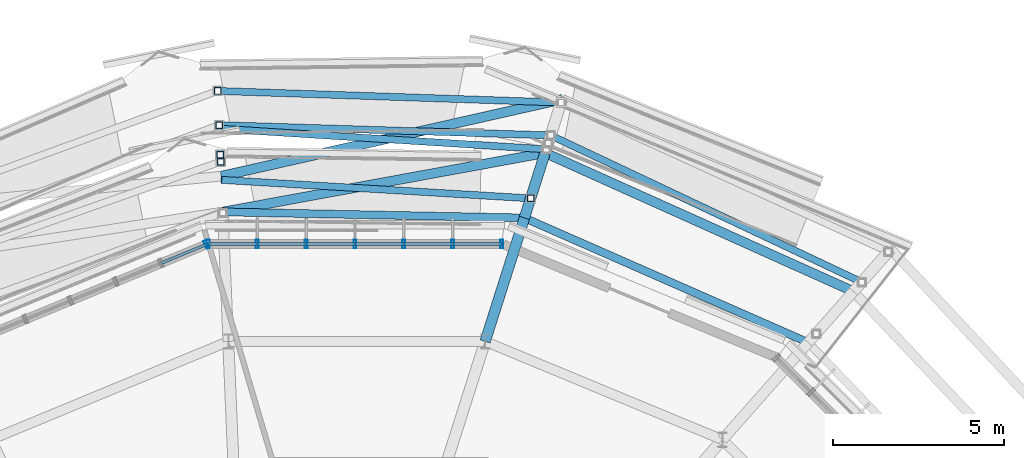
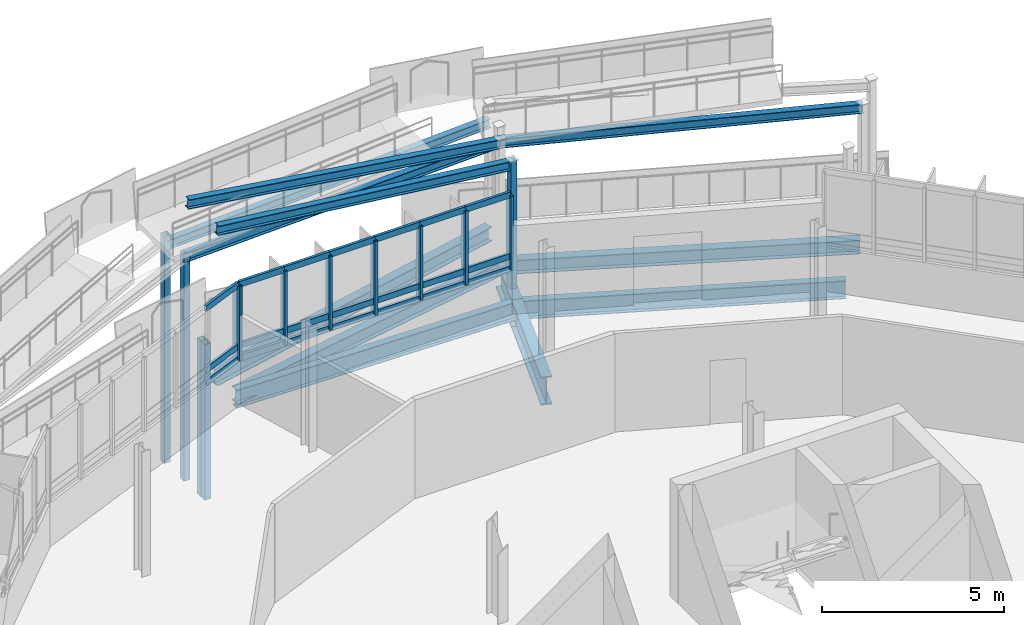
# One storey, part 48 of 107: 34 members, 12 beams, 2 elements without a shape of their own.
"""IFC4 building model written with IfcOpenShell, lengths in metres."""

from ifc_helpers import new_model, si_unit, derived_unit, direction, frame, origin, origin_2d, place, context, subcontext, project, spatial, hollow_rectangle, i_section, extrude, material, layer, layer_set, material_profile, profile_set, type_object, element, aggregate, save


model = new_model("IFC4")

# Units and contexts
model_context = context("Model", 3, precision=1e-05, world=origin(), true_north=direction((0.0, 1.0)))
body_context = subcontext(model_context, "Body", "Model", "MODEL_VIEW")
ifc_project = project(units=[si_unit("LENGTHUNIT", "METRE"), si_unit("AREAUNIT", "SQUARE_METRE"), si_unit("VOLUMEUNIT", "CUBIC_METRE"), si_unit("PLANEANGLEUNIT", "RADIAN"), si_unit("MASSUNIT", "GRAM", prefix="KILO"), derived_unit("THERMALTRANSMITTANCEUNIT", [(si_unit("MASSUNIT", "GRAM", prefix="KILO"), 1), (si_unit("TIMEUNIT", "SECOND"), -3), (si_unit("THERMODYNAMICTEMPERATUREUNIT", "KELVIN"), -1)])], contexts=[model_context])

# Site, building, storey
site_placement = place(None, origin())
site = spatial("IfcSite", under=ifc_project, at=site_placement, CompositionType="ELEMENT")
building_placement = place(site_placement, origin())
building = spatial("IfcBuilding", under=site, at=building_placement, Name="Makaiwela Harbour Ferry Terminal", CompositionType="ELEMENT")
storey_placement = place(building_placement, frame((0.0, 0.0, 9.60009765625)))
storey = spatial("IfcBuildingStorey", under=building, at=storey_placement, Name="L02", CompositionType="ELEMENT", Elevation=9.60009765625)

# Curtain wall, members
ifc_material_1 = material(Name="Marine anodised aluminium 6063-T6", Category="aluminium")
ifc_layer = layer(ifc_material_1, 0.199951171875)
ifc_layer_set = layer_set([ifc_layer], Name="Marine anodised aluminium 6063-T6")
curtain_wall_type = type_object("IfcCurtainWallType", Name="ENV-CW-04", PredefinedType="USERDEFINED", material=ifc_layer_set)
curtain_wall_1_placement = place(storey_placement, origin())
curtain_wall_1 = element("IfcCurtainWall", 1, at=curtain_wall_1_placement, inside=storey, type_object=curtain_wall_type, Name="Unitised Curtain Wall CWA-021", ObjectType="UNITIZED CURTAIN WALL", PredefinedType="USERDEFINED")
ifc_material_profile_1 = material_profile(ifc_material_1, hollow_rectangle(XDim=0.0849609375, YDim=0.25, WallThickness=0.0048828125, at=origin_2d()), Name="CWM-250X85")
ifc_profile_set_1 = profile_set([ifc_material_profile_1], Name="Marine anodised aluminium 6063-T6")
member_type_1 = type_object("IfcMemberType", Name="CW-MUL-250", PredefinedType="MULLION", material=ifc_profile_set_1)
member_1_placement = place(storey_placement, frame((41.35107421875, 89.88330078125, 1.47998046875), z_axis=(0.0, 0.0, 1.0), x_axis=(1.0, 0.0, 0.0)))
member_1 = element("IfcMember", 2, at=member_1_placement, type_object=member_type_1, Name="Curtain Wall Mullion CWA-021-1", PredefinedType="MULLION", context=body_context, shape_type="SweptSolid", body=[
    extrude(hollow_rectangle(XDim=0.0849609375, YDim=0.25, WallThickness=0.0048828125, at=origin_2d()), origin(), (0.0, 0.0, 1.0), 2.47998046875),
])
member_2_placement = place(storey_placement, frame((39.917236328125, 89.88330078125, 1.47998046875), z_axis=(0.0, 0.0, 1.0), x_axis=(1.0, 0.0, 0.0)))
member_2 = element("IfcMember", 3, at=member_2_placement, type_object=member_type_1, Name="Curtain Wall Mullion CWA-021-2", PredefinedType="MULLION", context=body_context, shape_type="SweptSolid", body=[
    extrude(hollow_rectangle(XDim=0.0849609375, YDim=0.25, WallThickness=0.0048828125, at=origin_2d()), origin(), (0.0, 0.0, 1.0), 2.47998046875),
])
member_3_placement = place(storey_placement, frame((38.483642578125, 89.88330078125, 1.47998046875), z_axis=(0.0, 0.0, 1.0), x_axis=(1.0, 0.0, 0.0)))
member_3 = element("IfcMember", 4, at=member_3_placement, type_object=member_type_1, Name="Curtain Wall Mullion CWA-021-3", PredefinedType="MULLION", context=body_context, shape_type="SweptSolid", body=[
    extrude(hollow_rectangle(XDim=0.0849609375, YDim=0.25, WallThickness=0.0048828125, at=origin_2d()), origin(), (0.0, 0.0, 1.0), 2.47998046875),
])
member_4_placement = place(storey_placement, frame((37.050048828125, 89.88330078125, 1.47998046875), z_axis=(0.0, 0.0, 1.0), x_axis=(1.0, 0.0, 0.0)))
member_4 = element("IfcMember", 5, at=member_4_placement, type_object=member_type_1, Name="Curtain Wall Mullion CWA-021-4", PredefinedType="MULLION", context=body_context, shape_type="SweptSolid", body=[
    extrude(hollow_rectangle(XDim=0.0849609375, YDim=0.25, WallThickness=0.0048828125, at=origin_2d()), origin(), (0.0, 0.0, 1.0), 2.47998046875),
])
member_5_placement = place(storey_placement, frame((35.6162109375, 89.88330078125, 1.47998046875), z_axis=(0.0, 0.0, 1.0), x_axis=(1.0, 0.0, 0.0)))
member_5 = element("IfcMember", 6, at=member_5_placement, type_object=member_type_1, Name="Curtain Wall Mullion CWA-021-5", PredefinedType="MULLION", context=body_context, shape_type="SweptSolid", body=[
    extrude(hollow_rectangle(XDim=0.0849609375, YDim=0.25, WallThickness=0.0048828125, at=origin_2d()), origin(), (0.0, 0.0, 1.0), 2.47998046875),
])
member_6_placement = place(storey_placement, frame((34.1826171875, 89.88330078125, 1.47998046875), z_axis=(0.0, 0.0, 1.0), x_axis=(1.0, 0.0, 0.0)))
member_6 = element("IfcMember", 7, at=member_6_placement, type_object=member_type_1, Name="Curtain Wall Mullion CWA-021-6", PredefinedType="MULLION", context=body_context, shape_type="SweptSolid", body=[
    extrude(hollow_rectangle(XDim=0.0849609375, YDim=0.25, WallThickness=0.0048828125, at=origin_2d()), origin(), (0.0, 0.0, 1.0), 2.47998046875),
])
member_7_placement = place(storey_placement, frame((32.7490234375, 89.88330078125, 1.47998046875), z_axis=(0.0, 0.0, 1.0), x_axis=(1.0, 0.0, 0.0)))
member_7 = element("IfcMember", 8, at=member_7_placement, type_object=member_type_1, Name="Curtain Wall Mullion CWA-021-7", PredefinedType="MULLION", context=body_context, shape_type="SweptSolid", body=[
    extrude(hollow_rectangle(XDim=0.0849609375, YDim=0.25, WallThickness=0.0048828125, at=origin_2d()), origin(), (0.0, 0.0, 1.0), 2.47998046875),
])

# Curtain wall, member
curtain_wall_2_placement = place(storey_placement, origin())
curtain_wall_2 = element("IfcCurtainWall", 9, at=curtain_wall_2_placement, inside=storey, type_object=curtain_wall_type, Name="Unitised Curtain Wall CWA-022", ObjectType="UNITIZED CURTAIN WALL", PredefinedType="USERDEFINED")
member_8_placement = place(storey_placement, frame((32.69140625, 89.871826171875, 1.47998046875), z_axis=(0.0, 0.0, 1.0), x_axis=(0.923879532511, 0.382683432365, 0.0)))
member_8 = element("IfcMember", 10, at=member_8_placement, type_object=member_type_1, Name="Curtain Wall Mullion CWA-022-1", PredefinedType="MULLION", context=body_context, shape_type="SweptSolid", body=[
    extrude(hollow_rectangle(XDim=0.0849609375, YDim=0.25, WallThickness=0.0048828125, at=origin_2d()), origin(), (0.0, 0.0, 1.0), 2.47998046875),
])

# Member
ifc_material_profile_2 = material_profile(ifc_material_1, hollow_rectangle(XDim=0.0849609375, YDim=0.199951171875, WallThickness=0.0048828125, at=origin_2d()), Name="CWT-200X85")
ifc_profile_set_2 = profile_set([ifc_material_profile_2], Name="Marine anodised aluminium 6063-T6")
member_type_2 = type_object("IfcMemberType", Name="CW-TRN-200", PredefinedType="USERDEFINED", material=ifc_profile_set_2)
member_9_placement = place(storey_placement, frame((41.35107421875, 89.88330078125, 1.47998046875), z_axis=(-1.0, 0.0, 0.0), x_axis=(0.0, -1.0, 0.0)))
member_9 = element("IfcMember", 11, at=member_9_placement, type_object=member_type_2, Name="Curtain Wall Transom CWA-021-1-1", ObjectType="TRANSOM", PredefinedType="USERDEFINED", context=body_context, shape_type="SweptSolid", body=[
    extrude(hollow_rectangle(XDim=0.0849609375, YDim=0.199951171875, WallThickness=0.0048828125, at=origin_2d()), origin(), (0.0, 0.0, 1.0), 1.433837890625),
])

member_10_placement = place(storey_placement, frame((41.35107421875, 89.88330078125, 1.89990234375), z_axis=(-1.0, 0.0, 0.0), x_axis=(0.0, -1.0, 0.0)))
member_10 = element("IfcMember", 12, at=member_10_placement, type_object=member_type_2, Name="Curtain Wall Transom CWA-021-1-2", ObjectType="TRANSOM", PredefinedType="USERDEFINED", context=body_context, shape_type="SweptSolid", body=[
    extrude(hollow_rectangle(XDim=0.0849609375, YDim=0.199951171875, WallThickness=0.0048828125, at=origin_2d()), origin(), (0.0, 0.0, 1.0), 1.433837890625),
])

member_11_placement = place(storey_placement, frame((41.35107421875, 89.88330078125, 3.9599609375), z_axis=(-1.0, 0.0, 0.0), x_axis=(0.0, -1.0, 0.0)))
member_11 = element("IfcMember", 13, at=member_11_placement, type_object=member_type_2, Name="Curtain Wall Transom CWA-021-1-3", ObjectType="TRANSOM", PredefinedType="USERDEFINED", context=body_context, shape_type="SweptSolid", body=[
    extrude(hollow_rectangle(XDim=0.0849609375, YDim=0.199951171875, WallThickness=0.0048828125, at=origin_2d()), origin(), (0.0, 0.0, 1.0), 1.433837890625),
])

member_12_placement = place(storey_placement, frame((39.917236328125, 89.88330078125, 1.47998046875), z_axis=(-1.0, 0.0, 0.0), x_axis=(0.0, -1.0, 0.0)))
member_12 = element("IfcMember", 14, at=member_12_placement, type_object=member_type_2, Name="Curtain Wall Transom CWA-021-2-1", ObjectType="TRANSOM", PredefinedType="USERDEFINED", context=body_context, shape_type="SweptSolid", body=[
    extrude(hollow_rectangle(XDim=0.0849609375, YDim=0.199951171875, WallThickness=0.0048828125, at=origin_2d()), origin(), (0.0, 0.0, 1.0), 1.43359375),
])

member_13_placement = place(storey_placement, frame((39.917236328125, 89.88330078125, 1.89990234375), z_axis=(-1.0, 0.0, 0.0), x_axis=(0.0, -1.0, 0.0)))
member_13 = element("IfcMember", 15, at=member_13_placement, type_object=member_type_2, Name="Curtain Wall Transom CWA-021-2-2", ObjectType="TRANSOM", PredefinedType="USERDEFINED", context=body_context, shape_type="SweptSolid", body=[
    extrude(hollow_rectangle(XDim=0.0849609375, YDim=0.199951171875, WallThickness=0.0048828125, at=origin_2d()), origin(), (0.0, 0.0, 1.0), 1.43359375),
])

member_14_placement = place(storey_placement, frame((39.917236328125, 89.88330078125, 3.9599609375), z_axis=(-1.0, 0.0, 0.0), x_axis=(0.0, -1.0, 0.0)))
member_14 = element("IfcMember", 16, at=member_14_placement, type_object=member_type_2, Name="Curtain Wall Transom CWA-021-2-3", ObjectType="TRANSOM", PredefinedType="USERDEFINED", context=body_context, shape_type="SweptSolid", body=[
    extrude(hollow_rectangle(XDim=0.0849609375, YDim=0.199951171875, WallThickness=0.0048828125, at=origin_2d()), origin(), (0.0, 0.0, 1.0), 1.43359375),
])

member_15_placement = place(storey_placement, frame((38.483642578125, 89.88330078125, 1.47998046875), z_axis=(-1.0, 0.0, 0.0), x_axis=(0.0, -1.0, 0.0)))
member_15 = element("IfcMember", 17, at=member_15_placement, type_object=member_type_2, Name="Curtain Wall Transom CWA-021-3-1", ObjectType="TRANSOM", PredefinedType="USERDEFINED", context=body_context, shape_type="SweptSolid", body=[
    extrude(hollow_rectangle(XDim=0.0849609375, YDim=0.199951171875, WallThickness=0.0048828125, at=origin_2d()), origin(), (0.0, 0.0, 1.0), 1.43359375),
])

member_16_placement = place(storey_placement, frame((38.483642578125, 89.88330078125, 1.89990234375), z_axis=(-1.0, 0.0, 0.0), x_axis=(0.0, -1.0, 0.0)))
member_16 = element("IfcMember", 18, at=member_16_placement, type_object=member_type_2, Name="Curtain Wall Transom CWA-021-3-2", ObjectType="TRANSOM", PredefinedType="USERDEFINED", context=body_context, shape_type="SweptSolid", body=[
    extrude(hollow_rectangle(XDim=0.0849609375, YDim=0.199951171875, WallThickness=0.0048828125, at=origin_2d()), origin(), (0.0, 0.0, 1.0), 1.43359375),
])

member_17_placement = place(storey_placement, frame((38.483642578125, 89.88330078125, 3.9599609375), z_axis=(-1.0, 0.0, 0.0), x_axis=(0.0, -1.0, 0.0)))
member_17 = element("IfcMember", 19, at=member_17_placement, type_object=member_type_2, Name="Curtain Wall Transom CWA-021-3-3", ObjectType="TRANSOM", PredefinedType="USERDEFINED", context=body_context, shape_type="SweptSolid", body=[
    extrude(hollow_rectangle(XDim=0.0849609375, YDim=0.199951171875, WallThickness=0.0048828125, at=origin_2d()), origin(), (0.0, 0.0, 1.0), 1.43359375),
])

member_18_placement = place(storey_placement, frame((37.050048828125, 89.88330078125, 1.47998046875), z_axis=(-1.0, 0.0, 0.0), x_axis=(0.0, -1.0, 0.0)))
member_18 = element("IfcMember", 20, at=member_18_placement, type_object=member_type_2, Name="Curtain Wall Transom CWA-021-4-1", ObjectType="TRANSOM", PredefinedType="USERDEFINED", context=body_context, shape_type="SweptSolid", body=[
    extrude(hollow_rectangle(XDim=0.0849609375, YDim=0.199951171875, WallThickness=0.0048828125, at=origin_2d()), origin(), (0.0, 0.0, 1.0), 1.433837890625),
])

member_19_placement = place(storey_placement, frame((37.050048828125, 89.88330078125, 1.89990234375), z_axis=(-1.0, 0.0, 0.0), x_axis=(0.0, -1.0, 0.0)))
member_19 = element("IfcMember", 21, at=member_19_placement, type_object=member_type_2, Name="Curtain Wall Transom CWA-021-4-2", ObjectType="TRANSOM", PredefinedType="USERDEFINED", context=body_context, shape_type="SweptSolid", body=[
    extrude(hollow_rectangle(XDim=0.0849609375, YDim=0.199951171875, WallThickness=0.0048828125, at=origin_2d()), origin(), (0.0, 0.0, 1.0), 1.433837890625),
])

member_20_placement = place(storey_placement, frame((37.050048828125, 89.88330078125, 3.9599609375), z_axis=(-1.0, 0.0, 0.0), x_axis=(0.0, -1.0, 0.0)))
member_20 = element("IfcMember", 22, at=member_20_placement, type_object=member_type_2, Name="Curtain Wall Transom CWA-021-4-3", ObjectType="TRANSOM", PredefinedType="USERDEFINED", context=body_context, shape_type="SweptSolid", body=[
    extrude(hollow_rectangle(XDim=0.0849609375, YDim=0.199951171875, WallThickness=0.0048828125, at=origin_2d()), origin(), (0.0, 0.0, 1.0), 1.433837890625),
])

member_21_placement = place(storey_placement, frame((35.6162109375, 89.88330078125, 1.47998046875), z_axis=(-1.0, 0.0, 0.0), x_axis=(0.0, -1.0, 0.0)))
member_21 = element("IfcMember", 23, at=member_21_placement, type_object=member_type_2, Name="Curtain Wall Transom CWA-021-5-1", ObjectType="TRANSOM", PredefinedType="USERDEFINED", context=body_context, shape_type="SweptSolid", body=[
    extrude(hollow_rectangle(XDim=0.0849609375, YDim=0.199951171875, WallThickness=0.0048828125, at=origin_2d()), origin(), (0.0, 0.0, 1.0), 1.43359375),
])

member_22_placement = place(storey_placement, frame((35.6162109375, 89.88330078125, 1.89990234375), z_axis=(-1.0, 0.0, 0.0), x_axis=(0.0, -1.0, 0.0)))
member_22 = element("IfcMember", 24, at=member_22_placement, type_object=member_type_2, Name="Curtain Wall Transom CWA-021-5-2", ObjectType="TRANSOM", PredefinedType="USERDEFINED", context=body_context, shape_type="SweptSolid", body=[
    extrude(hollow_rectangle(XDim=0.0849609375, YDim=0.199951171875, WallThickness=0.0048828125, at=origin_2d()), origin(), (0.0, 0.0, 1.0), 1.43359375),
])

member_23_placement = place(storey_placement, frame((35.6162109375, 89.88330078125, 3.9599609375), z_axis=(-1.0, 0.0, 0.0), x_axis=(0.0, -1.0, 0.0)))
member_23 = element("IfcMember", 25, at=member_23_placement, type_object=member_type_2, Name="Curtain Wall Transom CWA-021-5-3", ObjectType="TRANSOM", PredefinedType="USERDEFINED", context=body_context, shape_type="SweptSolid", body=[
    extrude(hollow_rectangle(XDim=0.0849609375, YDim=0.199951171875, WallThickness=0.0048828125, at=origin_2d()), origin(), (0.0, 0.0, 1.0), 1.43359375),
])

member_24_placement = place(storey_placement, frame((34.1826171875, 89.88330078125, 1.47998046875), z_axis=(-1.0, 0.0, 0.0), x_axis=(0.0, -1.0, 0.0)))
member_24 = element("IfcMember", 26, at=member_24_placement, type_object=member_type_2, Name="Curtain Wall Transom CWA-021-6-1", ObjectType="TRANSOM", PredefinedType="USERDEFINED", context=body_context, shape_type="SweptSolid", body=[
    extrude(hollow_rectangle(XDim=0.0849609375, YDim=0.199951171875, WallThickness=0.0048828125, at=origin_2d()), origin(), (0.0, 0.0, 1.0), 1.43359375),
])

member_25_placement = place(storey_placement, frame((34.1826171875, 89.88330078125, 1.89990234375), z_axis=(-1.0, 0.0, 0.0), x_axis=(0.0, -1.0, 0.0)))
member_25 = element("IfcMember", 27, at=member_25_placement, type_object=member_type_2, Name="Curtain Wall Transom CWA-021-6-2", ObjectType="TRANSOM", PredefinedType="USERDEFINED", context=body_context, shape_type="SweptSolid", body=[
    extrude(hollow_rectangle(XDim=0.0849609375, YDim=0.199951171875, WallThickness=0.0048828125, at=origin_2d()), origin(), (0.0, 0.0, 1.0), 1.43359375),
])

member_26_placement = place(storey_placement, frame((34.1826171875, 89.88330078125, 3.9599609375), z_axis=(-1.0, 0.0, 0.0), x_axis=(0.0, -1.0, 0.0)))
member_26 = element("IfcMember", 28, at=member_26_placement, type_object=member_type_2, Name="Curtain Wall Transom CWA-021-6-3", ObjectType="TRANSOM", PredefinedType="USERDEFINED", context=body_context, shape_type="SweptSolid", body=[
    extrude(hollow_rectangle(XDim=0.0849609375, YDim=0.199951171875, WallThickness=0.0048828125, at=origin_2d()), origin(), (0.0, 0.0, 1.0), 1.43359375),
])

aggregate(curtain_wall_1, [member_1, member_2, member_3, member_4, member_5, member_6, member_7, member_9, member_10, member_11, member_12, member_13, member_14, member_15, member_16, member_17, member_18, member_19, member_20, member_21, member_22, member_23, member_24, member_25, member_26])

member_27_placement = place(storey_placement, frame((32.69140625, 89.871826171875, 1.47998046875), z_axis=(-0.923911001953, -0.382607449574, 0.0), x_axis=(0.382607449574, -0.923911001953, 0.0)))
member_27 = element("IfcMember", 29, at=member_27_placement, type_object=member_type_2, Name="Curtain Wall Transom CWA-022-1-1", ObjectType="TRANSOM", PredefinedType="USERDEFINED", context=body_context, shape_type="SweptSolid", body=[
    extrude(hollow_rectangle(XDim=0.0849609375, YDim=0.199951171875, WallThickness=0.0048828125, at=origin_2d()), origin(), (0.0, 0.0, 1.0), 1.433837890625),
])

member_28_placement = place(storey_placement, frame((32.69140625, 89.871826171875, 1.89990234375), z_axis=(-0.923911001953, -0.382607449574, 0.0), x_axis=(0.382607449574, -0.923911001953, 0.0)))
member_28 = element("IfcMember", 30, at=member_28_placement, type_object=member_type_2, Name="Curtain Wall Transom CWA-022-1-2", ObjectType="TRANSOM", PredefinedType="USERDEFINED", context=body_context, shape_type="SweptSolid", body=[
    extrude(hollow_rectangle(XDim=0.0849609375, YDim=0.199951171875, WallThickness=0.0048828125, at=origin_2d()), origin(), (0.0, 0.0, 1.0), 1.433837890625),
])

member_29_placement = place(storey_placement, frame((32.69140625, 89.871826171875, 3.9599609375), z_axis=(-0.923911001953, -0.382607449574, 0.0), x_axis=(0.382607449574, -0.923911001953, 0.0)))
member_29 = element("IfcMember", 31, at=member_29_placement, type_object=member_type_2, Name="Curtain Wall Transom CWA-022-1-3", ObjectType="TRANSOM", PredefinedType="USERDEFINED", context=body_context, shape_type="SweptSolid", body=[
    extrude(hollow_rectangle(XDim=0.0849609375, YDim=0.199951171875, WallThickness=0.0048828125, at=origin_2d()), origin(), (0.0, 0.0, 1.0), 1.433837890625),
])

aggregate(curtain_wall_2, [member_8, member_27, member_28, member_29])

# Beams
ifc_material_2 = material(Name="Steel ASTM A992 Grade 50", Category="steel")
ifc_material_profile_3 = material_profile(ifc_material_2, i_section(OverallWidth=0.280029296875, OverallDepth=0.462890625, WebThickness=0.0107421875, FlangeThickness=0.017333984375, at=origin_2d()), Name="W18X76")
ifc_profile_set_3 = profile_set([ifc_material_profile_3], Name="Steel ASTM A992 Grade 50")
beam_type_1 = type_object("IfcBeamType", Name="STR-BM-W18X76", PredefinedType="BEAM", material=ifc_profile_set_3)
beam_1_placement = place(storey_placement, frame((51.662109375, 88.494384765625, -0.49169921875), z_axis=(-0.912127447923, 0.409906719567, 0.0), x_axis=(-0.409906719567, -0.912127447923, 0.0)))
element("IfcBeam", 32, at=beam_1_placement, inside=storey, type_object=beam_type_1, Name="Drum stage2 tie girder 203", PredefinedType="BEAM", context=body_context, shape_type="SweptSolid", body=[
    extrude(i_section(OverallWidth=0.280029296875, OverallDepth=0.462890625, WebThickness=0.0107421875, FlangeThickness=0.017333984375, at=origin_2d()), origin(), (0.0, 0.0, 1.0), 9.90966796875),
])
beam_2_placement = place(storey_placement, frame((42.623291015625, 92.556396484375, -0.49169921875), z_axis=(-0.983638545562, -0.180153300509, 0.0), x_axis=(0.180153300509, -0.983638545562, 0.0)))
element("IfcBeam", 33, at=beam_2_placement, inside=storey, type_object=beam_type_1, Name="Drum stage2 tie girder 205", PredefinedType="BEAM", context=body_context, shape_type="SweptSolid", body=[
    extrude(i_section(OverallWidth=0.280029296875, OverallDepth=0.462890625, WebThickness=0.0107421875, FlangeThickness=0.017333984375, at=origin_2d()), origin(), (0.0, 0.0, 1.0), 9.60693359375),
])
ifc_material_profile_4 = material_profile(ifc_material_2, i_section(OverallWidth=0.22900390625, OverallDepth=0.612060546875, WebThickness=0.011962890625, FlangeThickness=0.01953125, at=origin_2d()), Name="W24X84")
ifc_profile_set_4 = profile_set([ifc_material_profile_4], Name="Steel ASTM A992 Grade 50")
beam_type_2 = type_object("IfcBeamType", Name="STR-GRD-W24X84", PredefinedType="USERDEFINED", material=ifc_profile_set_4)
beam_3_placement = place(storey_placement, frame((50.338134765625, 86.995361328125, -0.566162109375), z_axis=(-0.915567564956, 0.402164187864, 0.0), x_axis=(-0.402164187864, -0.915567564956, 0.0)))
element("IfcBeam", 34, at=beam_3_placement, inside=storey, type_object=beam_type_2, Name="Drum overhang tie girder 202", ObjectType="GIRDER", PredefinedType="USERDEFINED", context=body_context, shape_type="SweptSolid", body=[
    extrude(i_section(OverallWidth=0.22900390625, OverallDepth=0.612060546875, WebThickness=0.011962890625, FlangeThickness=0.01953125, at=origin_2d()), origin(), (0.0, 0.0, 1.0), 9.08837890625),
])
beam_4_placement = place(storey_placement, frame((42.01708984375, 90.650390625, -0.566162109375), z_axis=(-0.999803608761, 0.019817767471, 0.0), x_axis=(-0.019817767471, -0.999803608761, 0.0)))
element("IfcBeam", 35, at=beam_4_placement, inside=storey, type_object=beam_type_2, Name="Drum overhang tie girder 204", ObjectType="GIRDER", PredefinedType="USERDEFINED", context=body_context, shape_type="SweptSolid", body=[
    extrude(i_section(OverallWidth=0.22900390625, OverallDepth=0.612060546875, WebThickness=0.011962890625, FlangeThickness=0.01953125, at=origin_2d()), origin(), (0.0, 0.0, 1.0), 8.84521484375),
])
ifc_material_profile_5 = material_profile(ifc_material_2, i_section(OverallWidth=0.31005859375, OverallDepth=0.949951171875, WebThickness=0.0244140625, FlangeThickness=0.0439453125, at=origin_2d()), Name="W36X256")
ifc_profile_set_5 = profile_set([ifc_material_profile_5], Name="Steel ASTM A992 Grade 50")
beam_type_3 = type_object("IfcBeamType", Name="STR-GRD-W36X256", PredefinedType="USERDEFINED", material=ifc_profile_set_5)
beam_5_placement = place(storey_placement, frame((40.865234375, 87.029296875, -0.735107421875), z_axis=(0.303129401711, 0.952949403598, 0.0), x_axis=(-0.952949403598, 0.303129401711, 0.0)))
element("IfcBeam", 36, at=beam_5_placement, inside=storey, type_object=beam_type_3, Name="Drum radial overhang 160", ObjectType="GIRDER", PredefinedType="USERDEFINED", context=body_context, shape_type="SweptSolid", body=[
    extrude(i_section(OverallWidth=0.31005859375, OverallDepth=0.949951171875, WebThickness=0.0244140625, FlangeThickness=0.0439453125, at=origin_2d()), origin(), (0.0, 0.0, 1.0), 3.7998046875),
])
beam_6_placement = place(storey_placement, frame((42.01708984375, 90.650390625, -0.735107421875), z_axis=(0.303087773296, 0.95296264443, 0.0), x_axis=(-0.95296264443, 0.303087773296, 0.0)))
element("IfcBeam", 37, at=beam_6_placement, inside=storey, type_object=beam_type_3, Name="Drum overhang radial girder 161", ObjectType="GIRDER", PredefinedType="USERDEFINED", context=body_context, shape_type="SweptSolid", body=[
    extrude(i_section(OverallWidth=0.31005859375, OverallDepth=0.949951171875, WebThickness=0.0244140625, FlangeThickness=0.0439453125, at=origin_2d()), origin(), (0.0, 0.0, 1.0), 2.0),
])
ifc_material_profile_6 = material_profile(ifc_material_2, i_section(OverallWidth=0.205078125, OverallDepth=0.31005859375, WebThickness=0.009521484375, FlangeThickness=0.016357421875, at=origin_2d()), Name="W12X50")
ifc_profile_set_6 = profile_set([ifc_material_profile_6], Name="Steel ASTM A992 Grade 50")
beam_type_4 = type_object("IfcBeamType", Name="STR-LNT-W12X50", PredefinedType="LINTEL", material=ifc_profile_set_6)
beam_7_placement = place(storey_placement, frame((33.065673828125, 93.37158203125, 2.669921875), z_axis=(0.997621264953, -0.030968176495, 0.061585580763), x_axis=(0.031027071879, 0.999518544506, 0.0)))
element("IfcBeam", 38, at=beam_7_placement, inside=storey, type_object=beam_type_4, Name="Coiled Ramp Stringer L02-FO3-IN", PredefinedType="LINTEL", context=body_context, shape_type="SweptSolid", body=[
    extrude(i_section(OverallWidth=0.205078125, OverallDepth=0.31005859375, WebThickness=0.009521484375, FlangeThickness=0.016357421875, at=origin_2d()), origin(), (0.0, 0.0, 1.0), 9.744140625),
])
beam_8_placement = place(storey_placement, frame((33.023193359375, 94.37255859375, 2.486572265625), z_axis=(0.996450066252, -0.033555631731, 0.077209358541), x_axis=(0.033656098481, 0.999433473041, 0.0)))
element("IfcBeam", 39, at=beam_8_placement, inside=storey, type_object=beam_type_4, Name="Coiled Ramp Stringer L02-FO3-OUT", PredefinedType="LINTEL", context=body_context, shape_type="SweptSolid", body=[
    extrude(i_section(OverallWidth=0.205078125, OverallDepth=0.31005859375, WebThickness=0.009521484375, FlangeThickness=0.016357421875, at=origin_2d()), origin(), (0.0, 0.0, 1.0), 10.10595703125),
])
beam_9_placement = place(storey_placement, frame((42.78662109375, 93.06982421875, 3.27001953125), z_axis=(0.902742819901, -0.426060185794, 0.05939797302), x_axis=(0.426813776009, 0.904339538342, 0.0)))
element("IfcBeam", 40, at=beam_9_placement, inside=storey, type_object=beam_type_4, Name="Coiled Ramp Stringer L02-FO4-IN", PredefinedType="LINTEL", context=body_context, shape_type="SweptSolid", body=[
    extrude(i_section(OverallWidth=0.205078125, OverallDepth=0.31005859375, WebThickness=0.009521484375, FlangeThickness=0.016357421875, at=origin_2d()), origin(), (0.0, 0.0, 1.0), 10.098876953125),
])
beam_10_placement = place(storey_placement, frame((42.19921875, 91.22314453125, 3.869873046875), z_axis=(-0.995670985815, 0.059501075017, 0.071406652893), x_axis=(-0.059653352919, -0.998219153035, 0.0)))
element("IfcBeam", 41, at=beam_10_placement, inside=storey, type_object=beam_type_4, Name="Coiled Ramp Stringer L03-F1-IN", PredefinedType="LINTEL", context=body_context, shape_type="SweptSolid", body=[
    extrude(i_section(OverallWidth=0.205078125, OverallDepth=0.31005859375, WebThickness=0.009521484375, FlangeThickness=0.016357421875, at=origin_2d()), origin(), (0.0, 0.0, 1.0), 9.104736328125),
])
beam_11_placement = place(storey_placement, frame((42.656982421875, 92.662109375, 3.55712890625), z_axis=(-0.993079962783, 0.062517983752, 0.099416745198), x_axis=(-0.062829247146, -0.998024291139, 0.0)))
element("IfcBeam", 42, at=beam_11_placement, inside=storey, type_object=beam_type_4, Name="Coiled Ramp Stringer L03-F1-OUT", PredefinedType="LINTEL", context=body_context, shape_type="SweptSolid", body=[
    extrude(i_section(OverallWidth=0.205078125, OverallDepth=0.31005859375, WebThickness=0.009521484375, FlangeThickness=0.016357421875, at=origin_2d()), origin(), (0.0, 0.0, 1.0), 9.653564453125),
])

# Members
ifc_material_3 = material(Name="Steel ASTM A500 Grade C", Category="steel")
ifc_material_profile_7 = material_profile(ifc_material_3, hollow_rectangle(XDim=0.202880859375, YDim=0.202880859375, WallThickness=0.01171875, at=origin_2d()), Name="HSS8X8X1/2")
ifc_profile_set_7 = profile_set([ifc_material_profile_7], Name="Steel ASTM A500 Grade C")
member_type_3 = type_object("IfcMemberType", Name="STR-PST-HSS8", PredefinedType="POST", material=ifc_profile_set_7)
member_30_placement = place(storey_placement, frame((33.065673828125, 93.37158203125, -4.800048828125), z_axis=(0.0, 0.0, 1.0), x_axis=(1.0, 0.0, 0.0)))
element("IfcMember", 43, at=member_30_placement, inside=storey, type_object=member_type_3, Name="Exterior Ramp Support Post RP-0059", PredefinedType="POST", context=body_context, shape_type="SweptSolid", body=[
    extrude(hollow_rectangle(XDim=0.202880859375, YDim=0.202880859375, WallThickness=0.01171875, at=origin_2d()), origin(), (0.0, 0.0, 1.0), 7.625),
])
member_31_placement = place(storey_placement, frame((33.023193359375, 94.37255859375, -4.800048828125), z_axis=(0.0, 0.0, 1.0), x_axis=(1.0, 0.0, 0.0)))
element("IfcMember", 44, at=member_31_placement, inside=storey, type_object=member_type_3, Name="Exterior Ramp Support Post RP-0063", PredefinedType="POST", context=body_context, shape_type="SweptSolid", body=[
    extrude(hollow_rectangle(XDim=0.202880859375, YDim=0.202880859375, WallThickness=0.01171875, at=origin_2d()), origin(), (0.0, 0.0, 1.0), 7.6298828125),
])
member_32_placement = place(storey_placement, frame((33.111083984375, 92.299560546875, -4.800048828125), z_axis=(0.0, 0.0, 1.0), x_axis=(1.0, 0.0, 0.0)))
element("IfcMember", 45, at=member_32_placement, inside=storey, type_object=member_type_3, Name="Exterior Ramp Support Post RP-0072", PredefinedType="POST", context=body_context, shape_type="SweptSolid", body=[
    extrude(hollow_rectangle(XDim=0.202880859375, YDim=0.202880859375, WallThickness=0.01171875, at=origin_2d()), origin(), (0.0, 0.0, 1.0), 5.221923828125),
])
member_33_placement = place(storey_placement, frame((33.102783203125, 92.497314453125, -4.800048828125), z_axis=(0.0, 0.0, 1.0), x_axis=(1.0, 0.0, 0.0)))
element("IfcMember", 46, at=member_33_placement, inside=storey, type_object=member_type_3, Name="Exterior Ramp Support Post RP-0073", PredefinedType="POST", context=body_context, shape_type="SweptSolid", body=[
    extrude(hollow_rectangle(XDim=0.202880859375, YDim=0.202880859375, WallThickness=0.01171875, at=origin_2d()), origin(), (0.0, 0.0, 1.0), 5.22998046875),
])
member_34_placement = place(storey_placement, frame((42.19921875, 91.22314453125, -0.280029296875), z_axis=(0.0, 0.0, 1.0), x_axis=(1.0, 0.0, 0.0)))
element("IfcMember", 47, at=member_34_placement, inside=storey, type_object=member_type_3, Name="Exterior Ramp Support Post RP-0083", PredefinedType="POST", context=body_context, shape_type="SweptSolid", body=[
    extrude(hollow_rectangle(XDim=0.202880859375, YDim=0.202880859375, WallThickness=0.01171875, at=origin_2d()), origin(), (0.0, 0.0, 1.0), 4.304931640625),
])

# Beam
ifc_material_profile_8 = material_profile(ifc_material_2, i_section(OverallWidth=0.283935546875, OverallDepth=0.47607421875, WebThickness=0.014892578125, FlangeThickness=0.02392578125, at=origin_2d()), Name="W18X106")
ifc_profile_set_8 = profile_set([ifc_material_profile_8], Name="Steel ASTM A992 Grade 50")
beam_type_5 = type_object("IfcBeamType", Name="STR-SPN-W18X106", PredefinedType="SPANDREL", material=ifc_profile_set_8)
beam_12_placement = place(storey_placement, frame((43.12353515625, 94.128662109375, -0.498046875), z_axis=(-0.975501576588, -0.219992440947, 0.0), x_axis=(0.219992440947, -0.975501576588, 0.0)))
element("IfcBeam", 48, at=beam_12_placement, inside=storey, type_object=beam_type_5, Name="Drum perimeter spandrel 226", PredefinedType="SPANDREL", context=body_context, shape_type="SweptSolid", body=[
    extrude(i_section(OverallWidth=0.283935546875, OverallDepth=0.47607421875, WebThickness=0.014892578125, FlangeThickness=0.02392578125, at=origin_2d()), origin(), (0.0, 0.0, 1.0), 10.245361328125),
])

save(model, "model.ifc")
